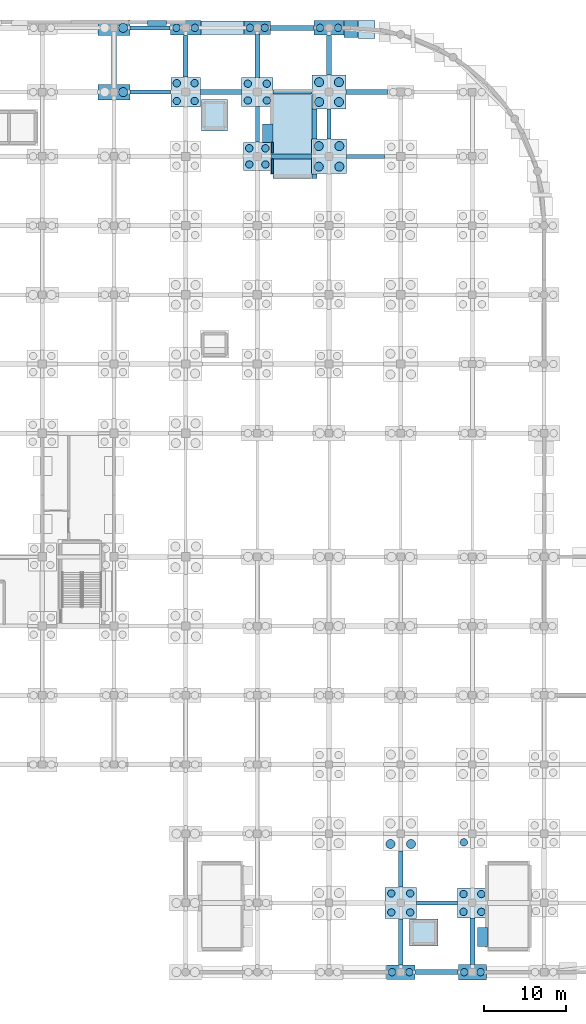
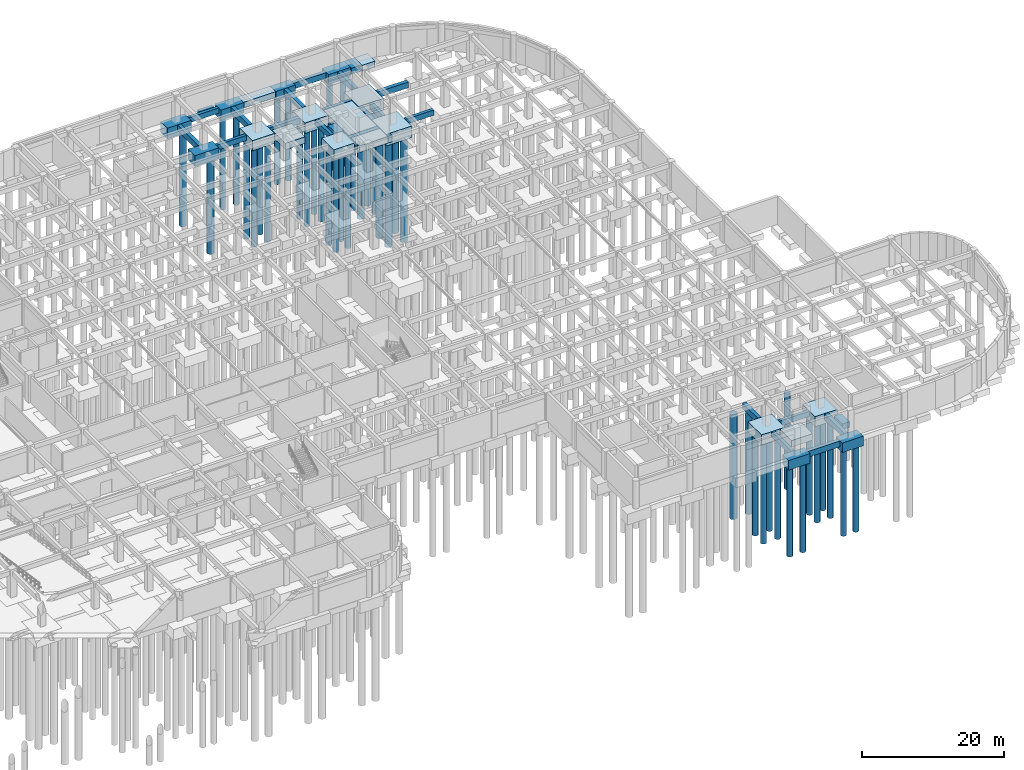
# One storey, part 11 of 33: 47 footings, 43 piles.
"""IFC4 building model written with IfcOpenShell, lengths in metres."""

from ifc_helpers import new_model, si_unit, derived_unit, direction, frame, origin, origin_2d, place, context, subcontext, project, spatial, rectangle, circle, extrude, material, material_profile, profile_set, type_object, element, save


model = new_model("IFC4")

# Units and contexts
model_context = context("Model", 3, precision=1e-05, world=origin(), true_north=direction((0.0, 1.0)))
body_context = subcontext(model_context, "Body", "Model", "MODEL_VIEW")
ifc_project = project(units=[si_unit("LENGTHUNIT", "METRE"), si_unit("AREAUNIT", "SQUARE_METRE"), si_unit("VOLUMEUNIT", "CUBIC_METRE"), si_unit("PLANEANGLEUNIT", "RADIAN"), si_unit("MASSUNIT", "GRAM", prefix="KILO"), derived_unit("THERMALTRANSMITTANCEUNIT", [(si_unit("MASSUNIT", "GRAM", prefix="KILO"), 1), (si_unit("TIMEUNIT", "SECOND"), -3), (si_unit("THERMODYNAMICTEMPERATUREUNIT", "KELVIN"), -1)])], contexts=[model_context])

# Site, building, storey
site_placement = place(None, origin())
site = spatial("IfcSite", under=ifc_project, at=site_placement, CompositionType="ELEMENT")
building_placement = place(site_placement, origin())
building = spatial("IfcBuilding", under=site, at=building_placement, Name="Qinzheling Arcade Emporium", CompositionType="ELEMENT")
storey_placement = place(building_placement, frame((0.0, 0.0, -9.60009765625)))
storey = spatial("IfcBuildingStorey", under=building, at=storey_placement, Name="B2", CompositionType="ELEMENT", Elevation=-9.60009765625)

# Footings
ifc_material = material(Name="Concrete C40", Category="concrete")
footing_type_1 = type_object("IfcFootingType", Name="Arcade Pad Footing 2400x2400x1050 C40", PredefinedType="PAD_FOOTING", material=ifc_material)
footing_1_placement = place(storey_placement, frame((100.9208984375, 115.177978515625, -1.0498046875), z_axis=(0.0, 0.0, 1.0), x_axis=(1.0, 0.0, 0.0)))
element("IfcFooting", 1, at=footing_1_placement, inside=storey, type_object=footing_type_1, Name="Retaining Wall Pad Footing FND-PF-RW-035", PredefinedType="PAD_FOOTING", context=body_context, shape_type="SweptSolid", body=[
    extrude(rectangle(XDim=2.300048828125, YDim=0.64404296875, at=origin_2d()), origin(), (0.0, 0.0, 1.0), 1.050048828125),
])
footing_2_placement = place(storey_placement, frame((126.340087890625, 114.403076171875, -1.0498046875), z_axis=(0.0, 0.0, 1.0), x_axis=(1.0, 0.0, 0.0)))
element("IfcFooting", 2, at=footing_2_placement, inside=storey, type_object=footing_type_1, Name="Retaining Wall Pad Footing FND-PF-RW-037", PredefinedType="PAD_FOOTING", context=body_context, shape_type="SweptSolid", body=[
    extrude(rectangle(XDim=2.096923828125, YDim=2.195068359375, at=origin_2d()), origin(), (0.0, 0.0, 1.0), 1.050048828125),
])
footing_3_placement = place(storey_placement, frame((114.361083984375, 101.827880859375, -1.0498046875), z_axis=(0.0, 0.0, 1.0), x_axis=(1.0, 0.0, 0.0)))
element("IfcFooting", 3, at=footing_3_placement, inside=storey, type_object=footing_type_1, Name="Retaining Wall Pad Footing FND-PF-RW-097", PredefinedType="PAD_FOOTING", context=body_context, shape_type="SweptSolid", body=[
    extrude(rectangle(XDim=1.31103515625, YDim=2.243896484375, at=origin_2d()), origin(), (0.0, 0.0, 1.0), 1.050048828125),
])
footing_4_placement = place(storey_placement, frame((114.910888671875, 100.050048828125, -1.0498046875), z_axis=(0.0, 0.0, 1.0), x_axis=(1.0, 0.0, 0.0)))
element("IfcFooting", 4, at=footing_4_placement, inside=storey, type_object=footing_type_1, Name="Retaining Wall Pad Footing FND-PF-RW-099", PredefinedType="PAD_FOOTING", context=body_context, shape_type="SweptSolid", body=[
    extrude(rectangle(XDim=0.2099609375, YDim=1.300048828125, at=origin_2d()), origin(), (0.0, 0.0, 1.0), 1.050048828125),
])
footing_type_2 = type_object("IfcFootingType", Name="Canopy Pad Footing 2600x2600x1100 C40", PredefinedType="PAD_FOOTING", material=ifc_material)
footing_5_placement = place(storey_placement, frame((117.35009765625, 97.489990234375, -1.099853515625), z_axis=(0.0, 0.0, 1.0), x_axis=(1.0, 0.0, 0.0)))
element("IfcFooting", 5, at=footing_5_placement, inside=storey, type_object=footing_type_2, Name="Stair Core Mat Pad FND-PF-ST-ST08-1", PredefinedType="PAD_FOOTING", context=body_context, shape_type="SweptSolid", body=[
    extrude(rectangle(XDim=4.656005859375, YDim=2.3759765625, at=origin_2d()), origin(), (0.0, 0.0, 1.0), 1.10009765625),
])
footing_6_placement = place(storey_placement, frame((117.35009765625, 102.925048828125, -1.099853515625), z_axis=(0.0, 0.0, 1.0), x_axis=(1.0, 0.0, 0.0)))
element("IfcFooting", 6, at=footing_6_placement, inside=storey, type_object=footing_type_2, Name="Stair Core Mat Pad FND-PF-ST-ST08-2", PredefinedType="PAD_FOOTING", context=body_context, shape_type="SweptSolid", body=[
    extrude(rectangle(XDim=4.656005859375, YDim=7.2060546875, at=origin_2d()), origin(), (0.0, 0.0, 1.0), 1.10009765625),
])
footing_7_placement = place(storey_placement, frame((120.047119140625, 96.590087890625, -1.099853515625), z_axis=(0.0, 0.0, 1.0), x_axis=(1.0, 0.0, 0.0)))
element("IfcFooting", 7, at=footing_7_placement, inside=storey, type_object=footing_type_2, Name="Stair Core Mat Pad FND-PF-ST-ST08-3", PredefinedType="PAD_FOOTING", context=body_context, shape_type="SweptSolid", body=[
    extrude(rectangle(XDim=0.591064453125, YDim=0.575927734375, at=origin_2d()), origin(), (0.0, 0.0, 1.0), 1.10009765625),
])
footing_8_placement = place(storey_placement, frame((120.047119140625, 102.925048828125, -1.099853515625), z_axis=(0.0, 0.0, 1.0), x_axis=(1.0, 0.0, 0.0)))
element("IfcFooting", 8, at=footing_8_placement, inside=storey, type_object=footing_type_2, Name="Stair Core Mat Pad FND-PF-ST-ST08-4", PredefinedType="PAD_FOOTING", context=body_context, shape_type="SweptSolid", body=[
    extrude(rectangle(XDim=0.591064453125, YDim=3.60595703125, at=origin_2d()), origin(), (0.0, 0.0, 1.0), 1.10009765625),
])
footing_9_placement = place(storey_placement, frame((107.89990234375, 104.0, -1.099853515625), z_axis=(0.0, 0.0, 1.0), x_axis=(1.0, 0.0, 0.0)))
element("IfcFooting", 9, at=footing_9_placement, inside=storey, type_object=footing_type_2, Name="Lift Pit Mat Pad FND-PF-LF-LF03", PredefinedType="PAD_FOOTING", context=body_context, shape_type="SweptSolid", body=[
    extrude(rectangle(XDim=3.196044921875, YDim=3.7958984375, at=origin_2d()), origin(), (0.0, 0.0, 1.0), 1.10009765625),
])
footing_10_placement = place(storey_placement, frame((133.300048828125, 4.800048828125, -1.099853515625), z_axis=(0.0, 0.0, 1.0), x_axis=(1.0, 0.0, 0.0)))
element("IfcFooting", 10, at=footing_10_placement, inside=storey, type_object=footing_type_2, Name="Lift Pit Mat Pad FND-PF-LF-LP05", PredefinedType="PAD_FOOTING", context=body_context, shape_type="SweptSolid", body=[
    extrude(rectangle(XDim=3.49609375, YDim=3.2958984375, at=origin_2d()), origin(), (0.0, 0.0, 1.0), 1.10009765625),
])
footing_type_3 = type_object("IfcFootingType", Name="Foundation Tie Beam 500x900 C40", PredefinedType="FOOTING_BEAM", material=ifc_material)
footing_11_placement = place(storey_placement, frame((134.89990234375, 8.39990234375, -0.89990234375), z_axis=(0.0, 0.0, 1.0), x_axis=(1.0, 0.0, 0.0)))
element("IfcFooting", 11, at=footing_11_placement, inside=storey, type_object=footing_type_3, Name="Foundation Tie FND-FB-015", PredefinedType="FOOTING_BEAM", context=body_context, shape_type="SweptSolid", body=[
    extrude(rectangle(XDim=4.9599609375, YDim=0.5, at=origin_2d()), origin(), (0.0, 0.0, 1.0), 0.89990234375),
])
footing_12_placement = place(storey_placement, frame((126.22509765625, 99.0, -0.89990234375), z_axis=(0.0, 0.0, 1.0), x_axis=(1.0, 0.0, 0.0)))
element("IfcFooting", 12, at=footing_12_placement, inside=storey, type_object=footing_type_3, Name="Foundation Tie FND-FB-165", PredefinedType="FOOTING_BEAM", context=body_context, shape_type="SweptSolid", body=[
    extrude(rectangle(XDim=4.610107421875, YDim=0.5, at=origin_2d()), origin(), (0.0, 0.0, 1.0), 0.89990234375),
])
footing_13_placement = place(storey_placement, frame((100.125, 106.800048828125, -0.89990234375), z_axis=(0.0, 0.0, 1.0), x_axis=(1.0, 0.0, 0.0)))
element("IfcFooting", 13, at=footing_13_placement, inside=storey, type_object=footing_type_3, Name="Foundation Tie FND-FB-171", PredefinedType="FOOTING_BEAM", context=body_context, shape_type="SweptSolid", body=[
    extrude(rectangle(XDim=4.909912109375, YDim=0.5, at=origin_2d()), origin(), (0.0, 0.0, 1.0), 0.89990234375),
])
footing_14_placement = place(storey_placement, frame((117.375, 106.800048828125, -0.89990234375), z_axis=(0.0, 0.0, 1.0), x_axis=(1.0, 0.0, 0.0)))
element("IfcFooting", 14, at=footing_14_placement, inside=storey, type_object=footing_type_3, Name="Foundation Tie FND-FB-173", PredefinedType="FOOTING_BEAM", context=body_context, shape_type="SweptSolid", body=[
    extrude(rectangle(XDim=4.7099609375, YDim=0.5, at=origin_2d()), origin(), (0.0, 0.0, 1.0), 0.89990234375),
])
footing_15_placement = place(storey_placement, frame((100.10009765625, 114.60009765625, -0.89990234375), z_axis=(0.0, 0.0, 1.0), x_axis=(1.0, 0.0, 0.0)))
element("IfcFooting", 15, at=footing_15_placement, inside=storey, type_object=footing_type_3, Name="Foundation Tie FND-FB-177", PredefinedType="FOOTING_BEAM", context=body_context, shape_type="SweptSolid", body=[
    extrude(rectangle(XDim=4.860107421875, YDim=0.5, at=origin_2d()), origin(), (0.0, 0.0, 1.0), 0.89990234375),
])
footing_16_placement = place(storey_placement, frame((113.10009765625, 102.875, -0.89990234375), z_axis=(0.0, 0.0, 1.0), x_axis=(1.0, 0.0, 0.0)))
element("IfcFooting", 16, at=footing_16_placement, inside=storey, type_object=footing_type_3, Name="Foundation Tie FND-FB-295", PredefinedType="FOOTING_BEAM", context=body_context, shape_type="SweptSolid", body=[
    extrude(rectangle(XDim=0.5, YDim=4.31005859375, at=origin_2d()), origin(), (0.0, 0.0, 1.0), 0.89990234375),
])
footing_17_placement = place(storey_placement, frame((121.800048828125, 102.925048828125, -0.89990234375), z_axis=(0.0, 0.0, 1.0), x_axis=(1.0, 0.0, 0.0)))
element("IfcFooting", 17, at=footing_17_placement, inside=storey, type_object=footing_type_3, Name="Foundation Tie FND-FB-307", PredefinedType="FOOTING_BEAM", context=body_context, shape_type="SweptSolid", body=[
    extrude(rectangle(XDim=0.5, YDim=3.610107421875, at=origin_2d()), origin(), (0.0, 0.0, 1.0), 0.89990234375),
])
footing_18_placement = place(storey_placement, frame((130.5, 3.68798828125, -0.89990234375), z_axis=(0.0, 0.0, 1.0), x_axis=(1.0, 0.0, 0.0)))
element("IfcFooting", 18, at=footing_18_placement, inside=storey, type_object=footing_type_3, Name="Foundation Tie FND-FB-309", PredefinedType="FOOTING_BEAM", context=body_context, shape_type="SweptSolid", body=[
    extrude(rectangle(XDim=0.5, YDim=5.5849609375, at=origin_2d()), origin(), (0.0, 0.0, 1.0), 0.89990234375),
])
footing_type_4 = type_object("IfcFootingType", Name="Foundation Tie Beam 600x1000 C40", PredefinedType="FOOTING_BEAM", material=ifc_material)
footing_19_placement = place(storey_placement, frame((134.875, 0.0, -1.0), z_axis=(0.0, 0.0, 1.0), x_axis=(1.0, 0.0, 0.0)))
element("IfcFooting", 19, at=footing_19_placement, inside=storey, type_object=footing_type_4, Name="Foundation Tie FND-FB-004", PredefinedType="FOOTING_BEAM", context=body_context, shape_type="SweptSolid", body=[
    extrude(rectangle(XDim=5.2099609375, YDim=0.60009765625, at=origin_2d()), origin(), (0.0, 0.0, 1.0), 1.0),
])
footing_20_placement = place(storey_placement, frame((117.25, 99.0, -1.0), z_axis=(0.0, 0.0, 1.0), x_axis=(1.0, 0.0, 0.0)))
element("IfcFooting", 20, at=footing_20_placement, inside=storey, type_object=footing_type_4, Name="Foundation Tie FND-FB-164", PredefinedType="FOOTING_BEAM", context=body_context, shape_type="SweptSolid", body=[
    extrude(rectangle(XDim=4.860107421875, YDim=0.60009765625, at=origin_2d()), origin(), (0.0, 0.0, 1.0), 1.0),
])
footing_21_placement = place(storey_placement, frame((108.699951171875, 106.800048828125, -1.0), z_axis=(0.0, 0.0, 1.0), x_axis=(1.0, 0.0, 0.0)))
element("IfcFooting", 21, at=footing_21_placement, inside=storey, type_object=footing_type_4, Name="Foundation Tie FND-FB-172", PredefinedType="FOOTING_BEAM", context=body_context, shape_type="SweptSolid", body=[
    extrude(rectangle(XDim=4.9599609375, YDim=0.60009765625, at=origin_2d()), origin(), (0.0, 0.0, 1.0), 1.0),
])
footing_22_placement = place(storey_placement, frame((126.375, 106.800048828125, -1.0), z_axis=(0.0, 0.0, 1.0), x_axis=(1.0, 0.0, 0.0)))
element("IfcFooting", 22, at=footing_22_placement, inside=storey, type_object=footing_type_4, Name="Foundation Tie FND-FB-174", PredefinedType="FOOTING_BEAM", context=body_context, shape_type="SweptSolid", body=[
    extrude(rectangle(XDim=5.010009765625, YDim=0.60009765625, at=origin_2d()), origin(), (0.0, 0.0, 1.0), 1.0),
])
footing_23_placement = place(storey_placement, frame((117.35009765625, 114.60009765625, -1.0), z_axis=(0.0, 0.0, 1.0), x_axis=(1.0, 0.0, 0.0)))
element("IfcFooting", 23, at=footing_23_placement, inside=storey, type_object=footing_type_4, Name="Foundation Tie FND-FB-178", PredefinedType="FOOTING_BEAM", context=body_context, shape_type="SweptSolid", body=[
    extrude(rectangle(XDim=5.260009765625, YDim=0.60009765625, at=origin_2d()), origin(), (0.0, 0.0, 1.0), 1.0),
])
footing_24_placement = place(storey_placement, frame((95.699951171875, 110.699951171875, -1.0), z_axis=(0.0, 0.0, 1.0), x_axis=(1.0, 0.0, 0.0)))
element("IfcFooting", 24, at=footing_24_placement, inside=storey, type_object=footing_type_4, Name="Foundation Tie FND-FB-272", PredefinedType="FOOTING_BEAM", context=body_context, shape_type="SweptSolid", body=[
    extrude(rectangle(XDim=0.60009765625, YDim=5.860107421875, at=origin_2d()), origin(), (0.0, 0.0, 1.0), 1.0),
])
footing_25_placement = place(storey_placement, frame((104.39990234375, 111.14990234375, -1.0), z_axis=(0.0, 0.0, 1.0), x_axis=(1.0, 0.0, 0.0)))
element("IfcFooting", 25, at=footing_25_placement, inside=storey, type_object=footing_type_4, Name="Foundation Tie FND-FB-284", PredefinedType="FOOTING_BEAM", context=body_context, shape_type="SweptSolid", body=[
    extrude(rectangle(XDim=0.60009765625, YDim=5.06005859375, at=origin_2d()), origin(), (0.0, 0.0, 1.0), 1.0),
])
footing_26_placement = place(storey_placement, frame((113.10009765625, 111.175048828125, -1.0), z_axis=(0.0, 0.0, 1.0), x_axis=(1.0, 0.0, 0.0)))
element("IfcFooting", 26, at=footing_26_placement, inside=storey, type_object=footing_type_4, Name="Foundation Tie FND-FB-296", PredefinedType="FOOTING_BEAM", context=body_context, shape_type="SweptSolid", body=[
    extrude(rectangle(XDim=0.60009765625, YDim=5.2099609375, at=origin_2d()), origin(), (0.0, 0.0, 1.0), 1.0),
])
footing_27_placement = place(storey_placement, frame((121.800048828125, 111.27490234375, -1.0), z_axis=(0.0, 0.0, 1.0), x_axis=(1.0, 0.0, 0.0)))
element("IfcFooting", 27, at=footing_27_placement, inside=storey, type_object=footing_type_4, Name="Foundation Tie FND-FB-308", PredefinedType="FOOTING_BEAM", context=body_context, shape_type="SweptSolid", body=[
    extrude(rectangle(XDim=0.60009765625, YDim=4.81005859375, at=origin_2d()), origin(), (0.0, 0.0, 1.0), 1.0),
])
footing_28_placement = place(storey_placement, frame((130.5, 12.5, -1.0), z_axis=(0.0, 0.0, 1.0), x_axis=(1.0, 0.0, 0.0)))
element("IfcFooting", 28, at=footing_28_placement, inside=storey, type_object=footing_type_4, Name="Foundation Tie FND-FB-310", PredefinedType="FOOTING_BEAM", context=body_context, shape_type="SweptSolid", body=[
    extrude(rectangle(XDim=0.60009765625, YDim=4.360107421875, at=origin_2d()), origin(), (0.0, 0.0, 1.0), 1.0),
])
footing_29_placement = place(storey_placement, frame((139.199951171875, 3.762939453125, -1.0), z_axis=(0.0, 0.0, 1.0), x_axis=(1.0, 0.0, 0.0)))
element("IfcFooting", 29, at=footing_29_placement, inside=storey, type_object=footing_type_4, Name="Foundation Tie FND-FB-320", PredefinedType="FOOTING_BEAM", context=body_context, shape_type="SweptSolid", body=[
    extrude(rectangle(XDim=0.60009765625, YDim=5.635009765625, at=origin_2d()), origin(), (0.0, 0.0, 1.0), 1.0),
])
footing_type_5 = type_object("IfcFootingType", Name="Four-Pile Core Cap 4100x4100x1950 C40", PredefinedType="PILE_CAP", material=ifc_material)
footing_30_placement = place(storey_placement, frame((121.800048828125, 106.800048828125, -1.94970703125), z_axis=(0.0, 0.0, 1.0), x_axis=(1.0, 0.0, 0.0)))
element("IfcFooting", 30, at=footing_30_placement, inside=storey, type_object=footing_type_5, Name="Pile Cap FND-PC-156", PredefinedType="PILE_CAP", context=body_context, shape_type="SweptSolid", body=[
    extrude(rectangle(XDim=4.10009765625, YDim=4.10009765625, at=origin_2d()), origin(), (0.0, 0.0, 1.0), 1.949951171875),
])
footing_type_6 = type_object("IfcFootingType", Name="Four-Pile Flagship Cap 3800x3800x1800 C40", PredefinedType="PILE_CAP", material=ifc_material)
footing_31_placement = place(storey_placement, frame((130.5, 8.39990234375, -1.7998046875), z_axis=(0.0, 0.0, 1.0), x_axis=(1.0, 0.0, 0.0)))
element("IfcFooting", 31, at=footing_31_placement, inside=storey, type_object=footing_type_6, Name="Pile Cap FND-PC-159", PredefinedType="PILE_CAP", context=body_context, shape_type="SweptSolid", body=[
    extrude(rectangle(XDim=3.800048828125, YDim=3.800048828125, at=origin_2d()), origin(), (0.0, 0.0, 1.0), 1.800048828125),
])
footing_type_7 = type_object("IfcFootingType", Name="Four-Pile Frame Cap 3600x3600x1750 C40", PredefinedType="PILE_CAP", material=ifc_material)
for number, where, z_axis, x_axis, name in (
    (32, (104.39990234375, 106.800048828125, -1.75), (0.0, 0.0, 1.0), (1.0, 0.0, 0.0), "Pile Cap FND-PC-128"),
    (33, (139.199951171875, 8.39990234375, -1.75), (0.0, 0.0, 1.0), (1.0, 0.0, 0.0), "Pile Cap FND-PC-172"),
):
    element("IfcFooting", number, at=place(storey_placement, frame(where, z_axis=z_axis, x_axis=x_axis)), inside=storey, type_object=footing_type_7, Name=name, PredefinedType="PILE_CAP", context=body_context, shape_type="SweptSolid", body=[
        extrude(rectangle(XDim=3.60009765625, YDim=3.60009765625, at=origin_2d()), origin(), (0.0, 0.0, 1.0), 1.75),
    ])
footing_type_8 = type_object("IfcFootingType", Name="Four-Pile Heavy Cap 4200x4200x2000 C40", PredefinedType="PILE_CAP", material=ifc_material)
footing_32_placement = place(storey_placement, frame((121.800048828125, 99.0, -2.0), z_axis=(0.0, 0.0, 1.0), x_axis=(1.0, 0.0, 0.0)))
element("IfcFooting", 34, at=footing_32_placement, inside=storey, type_object=footing_type_8, Name="Pile Cap FND-PC-155", PredefinedType="PILE_CAP", context=body_context, shape_type="SweptSolid", body=[
    extrude(rectangle(XDim=4.199951171875, YDim=4.199951171875, at=origin_2d()), origin(), (0.0, 0.0, 1.0), 2.0),
])
footing_type_9 = type_object("IfcFootingType", Name="Four-Pile Office Cap 3800x3500x1800 C40", PredefinedType="PILE_CAP", material=ifc_material)
footing_33_placement = place(storey_placement, frame((113.10009765625, 106.800048828125, -1.7998046875), z_axis=(0.0, 0.0, 1.0), x_axis=(1.0, 0.0, 0.0)))
element("IfcFooting", 35, at=footing_33_placement, inside=storey, type_object=footing_type_9, Name="Pile Cap FND-PC-142", PredefinedType="PILE_CAP", context=body_context, shape_type="SweptSolid", body=[
    extrude(rectangle(XDim=3.800048828125, YDim=3.5, at=origin_2d()), origin(), (0.0, 0.0, 1.0), 1.800048828125),
])
footing_type_10 = type_object("IfcFootingType", Name="Four-Pile Wing Cap 3400x3400x1650 C40", PredefinedType="PILE_CAP", material=ifc_material)
footing_34_placement = place(storey_placement, frame((113.10009765625, 99.0, -1.64990234375), z_axis=(0.0, 0.0, 1.0), x_axis=(1.0, 0.0, 0.0)))
element("IfcFooting", 36, at=footing_34_placement, inside=storey, type_object=footing_type_10, Name="Pile Cap FND-PC-141", PredefinedType="PILE_CAP", context=body_context, shape_type="SweptSolid", body=[
    extrude(rectangle(XDim=3.39990234375, YDim=3.39990234375, at=origin_2d()), origin(), (0.0, 0.0, 1.0), 1.64990234375),
])
footing_type_11 = type_object("IfcFootingType", Name="Loggia Pad Footing 2200x2200x1000 C40", PredefinedType="PAD_FOOTING", material=ifc_material)
footing_35_placement = place(storey_placement, frame((124.445068359375, 114.47509765625, -1.0), z_axis=(0.0, 0.0, 1.0), x_axis=(1.0, 0.0, 0.0)))
element("IfcFooting", 37, at=footing_35_placement, inside=storey, type_object=footing_type_11, Name="Retaining Wall Pad Footing FND-PF-RW-036", PredefinedType="PAD_FOOTING", context=body_context, shape_type="SweptSolid", body=[
    extrude(rectangle(XDim=1.678955078125, YDim=2.050048828125, at=origin_2d()), origin(), (0.0, 0.0, 1.0), 1.0),
])
footing_36_placement = place(storey_placement, frame((140.410888671875, 4.25, -1.0), z_axis=(0.0, 0.0, 1.0), x_axis=(1.0, 0.0, 0.0)))
element("IfcFooting", 38, at=footing_36_placement, inside=storey, type_object=footing_type_11, Name="Retaining Wall Pad Footing FND-PF-RW-096", PredefinedType="PAD_FOOTING", context=body_context, shape_type="SweptSolid", body=[
    extrude(rectangle(XDim=1.2109375, YDim=2.300048828125, at=origin_2d()), origin(), (0.0, 0.0, 1.0), 1.0),
])
footing_37_placement = place(storey_placement, frame((114.910888671875, 97.797119140625, -1.0), z_axis=(0.0, 0.0, 1.0), x_axis=(1.0, 0.0, 0.0)))
element("IfcFooting", 39, at=footing_37_placement, inside=storey, type_object=footing_type_11, Name="Retaining Wall Pad Footing FND-PF-RW-098", PredefinedType="PAD_FOOTING", context=body_context, shape_type="SweptSolid", body=[
    extrude(rectangle(XDim=0.2099609375, YDim=1.7939453125, at=origin_2d()), origin(), (0.0, 0.0, 1.0), 1.0),
])
footing_type_12 = type_object("IfcFootingType", Name="Retaining Wall Strip Footing 1600x1000 C40", PredefinedType="STRIP_FOOTING", material=ifc_material)
footing_38_placement = place(storey_placement, frame((108.875, 114.60009765625, -1.0), z_axis=(0.0, 0.0, 1.0), x_axis=(1.0, 0.0, 0.0)))
element("IfcFooting", 40, at=footing_38_placement, inside=storey, type_object=footing_type_12, Name="Foundation Tie FND-SF-008", PredefinedType="STRIP_FOOTING", context=body_context, shape_type="SweptSolid", body=[
    extrude(rectangle(XDim=5.2099609375, YDim=1.60009765625, at=origin_2d()), origin(), (0.0, 0.0, 1.0), 1.0),
])

# Piles
ifc_material_profile_1 = material_profile(ifc_material, circle(Radius=0.550048828125, at=origin_2d()), Name="BORED D1100", Category="concrete")
ifc_profile_set_1 = profile_set([ifc_material_profile_1], Name="Concrete C40")
pile_type_1 = type_object("IfcPileType", Name="Rotary Bored Pile D1100 C40", PredefinedType="BORED", material=ifc_profile_set_1)
for number, where, z_axis, x_axis, name in (
    (41, (96.820068359375, 106.800048828125, -1.75), (0.0, 0.0, -1.0), (1.0, 0.0, 0.0), "Bored Pile FND-PL-0358"),
    (42, (96.820068359375, 114.60009765625, -1.75), (0.0, 0.0, -1.0), (1.0, 0.0, 0.0), "Bored Pile FND-PL-0360"),
):
    element("IfcPile", number, at=place(storey_placement, frame(where, z_axis=z_axis, x_axis=x_axis)), inside=storey, type_object=pile_type_1, Name=name, PredefinedType="BORED", context=body_context, shape_type="SweptSolid", body=[
        extrude(circle(Radius=0.550048828125, at=origin_2d()), origin(), (0.0, 0.0, 1.0), 16.5),
    ])
for number, where, z_axis, x_axis, name in (
    (43, (120.550048828125, 97.75, -1.89990234375), (0.0, 0.0, -1.0), (1.0, 0.0, 0.0), "Bored Pile FND-PL-0477"),
    (44, (123.050048828125, 97.75, -1.89990234375), (0.0, 0.0, -1.0), (1.0, 0.0, 0.0), "Bored Pile FND-PL-0478"),
    (45, (120.550048828125, 100.25, -1.89990234375), (0.0, 0.0, -1.0), (1.0, 0.0, 0.0), "Bored Pile FND-PL-0479"),
    (46, (123.050048828125, 100.25, -1.89990234375), (0.0, 0.0, -1.0), (1.0, 0.0, 0.0), "Bored Pile FND-PL-0480"),
    (47, (120.60009765625, 105.60009765625, -1.849853515625), (0.0, 0.0, -1.0), (1.0, 0.0, 0.0), "Bored Pile FND-PL-0481"),
    (48, (123.0, 105.60009765625, -1.849853515625), (0.0, 0.0, -1.0), (1.0, 0.0, 0.0), "Bored Pile FND-PL-0482"),
    (49, (120.60009765625, 108.0, -1.849853515625), (0.0, 0.0, -1.0), (1.0, 0.0, 0.0), "Bored Pile FND-PL-0483"),
    (50, (123.0, 108.0, -1.849853515625), (0.0, 0.0, -1.0), (1.0, 0.0, 0.0), "Bored Pile FND-PL-0484"),
    (51, (129.25, 15.550048828125, -1.89990234375), (0.0, 0.0, -1.0), (1.0, 0.0, 0.0), "Bored Pile FND-PL-0493"),
    (52, (131.75, 15.550048828125, -1.89990234375), (0.0, 0.0, -1.0), (1.0, 0.0, 0.0), "Bored Pile FND-PL-0494"),
):
    element("IfcPile", number, at=place(storey_placement, frame(where, z_axis=z_axis, x_axis=x_axis)), inside=storey, type_object=pile_type_1, Name=name, PredefinedType="BORED", context=body_context, shape_type="SweptSolid", body=[
        extrude(circle(Radius=0.550048828125, at=origin_2d()), origin(), (0.0, 0.0, 1.0), 18.0),
    ])
ifc_material_profile_2 = material_profile(ifc_material, circle(Radius=0.449951171875, at=origin_2d()), Name="BORED D900", Category="concrete")
ifc_profile_set_2 = profile_set([ifc_material_profile_2], Name="Concrete C40")
pile_type_2 = type_object("IfcPileType", Name="Rotary Bored Pile D900 C40", PredefinedType="BORED", material=ifc_profile_set_2)
for number, where, z_axis, x_axis, name in (
    (53, (103.320068359375, 105.719970703125, -1.64990234375), (0.0, 0.0, -1.0), (1.0, 0.0, 0.0), "Bored Pile FND-PL-0399"),
    (54, (105.47998046875, 105.719970703125, -1.64990234375), (0.0, 0.0, -1.0), (1.0, 0.0, 0.0), "Bored Pile FND-PL-0400"),
    (55, (103.320068359375, 107.8798828125, -1.64990234375), (0.0, 0.0, -1.0), (1.0, 0.0, 0.0), "Bored Pile FND-PL-0401"),
    (56, (105.47998046875, 107.8798828125, -1.64990234375), (0.0, 0.0, -1.0), (1.0, 0.0, 0.0), "Bored Pile FND-PL-0402"),
):
    element("IfcPile", number, at=place(storey_placement, frame(where, z_axis=z_axis, x_axis=x_axis)), inside=storey, type_object=pile_type_2, Name=name, PredefinedType="BORED", context=body_context, shape_type="SweptSolid", body=[
        extrude(circle(Radius=0.449951171875, at=origin_2d()), origin(), (0.0, 0.0, 1.0), 17.0),
    ])
for number, where, z_axis, x_axis, name in (
    (57, (103.280029296875, 114.60009765625, -1.64990234375), (0.0, 0.0, -1.0), (1.0, 0.0, 0.0), "Bored Pile FND-PL-0403"),
    (58, (105.52001953125, 114.60009765625, -1.64990234375), (0.0, 0.0, -1.0), (1.0, 0.0, 0.0), "Bored Pile FND-PL-0404"),
):
    element("IfcPile", number, at=place(storey_placement, frame(where, z_axis=z_axis, x_axis=x_axis)), inside=storey, type_object=pile_type_2, Name=name, PredefinedType="BORED", context=body_context, shape_type="SweptSolid", body=[
        extrude(circle(Radius=0.449951171875, at=origin_2d()), origin(), (0.0, 0.0, 1.0), 16.0),
    ])
for number, where, z_axis, x_axis, name in (
    (59, (112.1201171875, 98.02001953125, -1.5498046875), (0.0, 0.0, -1.0), (1.0, 0.0, 0.0), "Bored Pile FND-PL-0433"),
    (60, (114.080078125, 98.02001953125, -1.5498046875), (0.0, 0.0, -1.0), (1.0, 0.0, 0.0), "Bored Pile FND-PL-0434"),
    (61, (112.1201171875, 99.97998046875, -1.5498046875), (0.0, 0.0, -1.0), (1.0, 0.0, 0.0), "Bored Pile FND-PL-0435"),
    (62, (114.080078125, 99.97998046875, -1.5498046875), (0.0, 0.0, -1.0), (1.0, 0.0, 0.0), "Bored Pile FND-PL-0436"),
    (63, (111.949951171875, 105.780029296875, -1.699951171875), (0.0, 0.0, -1.0), (1.0, 0.0, 0.0), "Bored Pile FND-PL-0437"),
    (64, (114.25, 105.780029296875, -1.699951171875), (0.0, 0.0, -1.0), (1.0, 0.0, 0.0), "Bored Pile FND-PL-0438"),
    (65, (111.949951171875, 107.820068359375, -1.699951171875), (0.0, 0.0, -1.0), (1.0, 0.0, 0.0), "Bored Pile FND-PL-0439"),
    (66, (114.25, 107.820068359375, -1.699951171875), (0.0, 0.0, -1.0), (1.0, 0.0, 0.0), "Bored Pile FND-PL-0440"),
):
    element("IfcPile", number, at=place(storey_placement, frame(where, z_axis=z_axis, x_axis=x_axis)), inside=storey, type_object=pile_type_2, Name=name, PredefinedType="BORED", context=body_context, shape_type="SweptSolid", body=[
        extrude(circle(Radius=0.449951171875, at=origin_2d()), origin(), (0.0, 0.0, 1.0), 16.5),
    ])
for number, where, z_axis, x_axis, name in (
    (67, (112.199951171875, 114.60009765625, -1.449951171875), (0.0, 0.0, -1.0), (1.0, 0.0, 0.0), "Bored Pile FND-PL-0441"),
    (68, (114.0, 114.60009765625, -1.449951171875), (0.0, 0.0, -1.0), (1.0, 0.0, 0.0), "Bored Pile FND-PL-0442"),
):
    element("IfcPile", number, at=place(storey_placement, frame(where, z_axis=z_axis, x_axis=x_axis)), inside=storey, type_object=pile_type_2, Name=name, PredefinedType="BORED", context=body_context, shape_type="SweptSolid", body=[
        extrude(circle(Radius=0.449951171875, at=origin_2d()), origin(), (0.0, 0.0, 1.0), 15.0),
    ])
for number, where, z_axis, x_axis, name in (
    (69, (120.699951171875, 114.60009765625, -1.599853515625), (0.0, 0.0, -1.0), (1.0, 0.0, 0.0), "Bored Pile FND-PL-0485"),
    (70, (122.89990234375, 114.60009765625, -1.599853515625), (0.0, 0.0, -1.0), (1.0, 0.0, 0.0), "Bored Pile FND-PL-0486"),
    (71, (129.449951171875, 0.0, -1.5498046875), (0.0, 0.0, -1.0), (1.0, 0.0, 0.0), "Bored Pile FND-PL-0487"),
    (72, (131.550048828125, 0.0, -1.5498046875), (0.0, 0.0, -1.0), (1.0, 0.0, 0.0), "Bored Pile FND-PL-0488"),
):
    element("IfcPile", number, at=place(storey_placement, frame(where, z_axis=z_axis, x_axis=x_axis)), inside=storey, type_object=pile_type_2, Name=name, PredefinedType="BORED", context=body_context, shape_type="SweptSolid", body=[
        extrude(circle(Radius=0.449951171875, at=origin_2d()), origin(), (0.0, 0.0, 1.0), 15.5),
    ])
for number, where, z_axis, x_axis, name in (
    (73, (129.35009765625, 7.25, -1.699951171875), (0.0, 0.0, -1.0), (1.0, 0.0, 0.0), "Bored Pile FND-PL-0489"),
    (74, (131.64990234375, 7.25, -1.699951171875), (0.0, 0.0, -1.0), (1.0, 0.0, 0.0), "Bored Pile FND-PL-0490"),
    (75, (129.35009765625, 9.550048828125, -1.699951171875), (0.0, 0.0, -1.0), (1.0, 0.0, 0.0), "Bored Pile FND-PL-0491"),
    (76, (131.64990234375, 9.550048828125, -1.699951171875), (0.0, 0.0, -1.0), (1.0, 0.0, 0.0), "Bored Pile FND-PL-0492"),
):
    element("IfcPile", number, at=place(storey_placement, frame(where, z_axis=z_axis, x_axis=x_axis)), inside=storey, type_object=pile_type_2, Name=name, PredefinedType="BORED", context=body_context, shape_type="SweptSolid", body=[
        extrude(circle(Radius=0.449951171875, at=origin_2d()), origin(), (0.0, 0.0, 1.0), 17.5),
    ])
for number, where, z_axis, x_axis, name in (
    (77, (138.199951171875, 0.0, -1.5498046875), (0.0, 0.0, -1.0), (1.0, 0.0, 0.0), "Bored Pile FND-PL-0527"),
    (78, (140.199951171875, 0.0, -1.5498046875), (0.0, 0.0, -1.0), (1.0, 0.0, 0.0), "Bored Pile FND-PL-0528"),
):
    element("IfcPile", number, at=place(storey_placement, frame(where, z_axis=z_axis, x_axis=x_axis)), inside=storey, type_object=pile_type_2, Name=name, PredefinedType="BORED", context=body_context, shape_type="SweptSolid", body=[
        extrude(circle(Radius=0.449951171875, at=origin_2d()), origin(), (0.0, 0.0, 1.0), 15.0),
    ])
for number, where, z_axis, x_axis, name in (
    (79, (138.1201171875, 7.320068359375, -1.64990234375), (0.0, 0.0, -1.0), (1.0, 0.0, 0.0), "Bored Pile FND-PL-0529"),
    (80, (140.280029296875, 7.320068359375, -1.64990234375), (0.0, 0.0, -1.0), (1.0, 0.0, 0.0), "Bored Pile FND-PL-0530"),
    (81, (138.1201171875, 9.47998046875, -1.64990234375), (0.0, 0.0, -1.0), (1.0, 0.0, 0.0), "Bored Pile FND-PL-0531"),
    (82, (140.280029296875, 9.47998046875, -1.64990234375), (0.0, 0.0, -1.0), (1.0, 0.0, 0.0), "Bored Pile FND-PL-0532"),
):
    element("IfcPile", number, at=place(storey_placement, frame(where, z_axis=z_axis, x_axis=x_axis)), inside=storey, type_object=pile_type_2, Name=name, PredefinedType="BORED", context=body_context, shape_type="SweptSolid", body=[
        extrude(circle(Radius=0.449951171875, at=origin_2d()), origin(), (0.0, 0.0, 1.0), 17.0),
    ])
pile_placement = place(storey_placement, frame((138.159912109375, 15.760009765625, -1.599853515625), z_axis=(0.0, 0.0, -1.0), x_axis=(1.0, 0.0, 0.0)))
element("IfcPile", 83, at=pile_placement, inside=storey, type_object=pile_type_2, Name="Bored Pile FND-PL-0533", PredefinedType="BORED", context=body_context, shape_type="SweptSolid", body=[
    extrude(circle(Radius=0.449951171875, at=origin_2d()), origin(), (0.0, 0.0, 1.0), 16.5),
])

# Footings
footing_type_13 = type_object("IfcFootingType", Name="Two-Pile Heavy Cap 3900x1900x1850 C40", PredefinedType="PILE_CAP", material=ifc_material)
for number, where, z_axis, x_axis, name in (
    (84, (95.699951171875, 106.800048828125, -1.849853515625), (0.0, 0.0, 1.0), (1.0, 0.0, 0.0), "Pile Cap FND-PC-114"),
    (85, (95.699951171875, 114.60009765625, -1.849853515625), (0.0, 0.0, 1.0), (1.0, 0.0, 0.0), "Pile Cap FND-PC-115"),
):
    element("IfcFooting", number, at=place(storey_placement, frame(where, z_axis=z_axis, x_axis=x_axis)), inside=storey, type_object=footing_type_13, Name=name, PredefinedType="PILE_CAP", context=body_context, shape_type="SweptSolid", body=[
        extrude(rectangle(XDim=3.89990234375, YDim=1.89990234375, at=origin_2d()), origin(), (0.0, 0.0, 1.0), 1.85009765625),
    ])
footing_type_14 = type_object("IfcFootingType", Name="Two-Pile Pavilion Cap 3400x1850x1650 C40", PredefinedType="PILE_CAP", material=ifc_material)
footing_39_placement = place(storey_placement, frame((139.199951171875, 0.0, -1.64990234375), z_axis=(0.0, 0.0, 1.0), x_axis=(1.0, 0.0, 0.0)))
element("IfcFooting", 86, at=footing_39_placement, inside=storey, type_object=footing_type_14, Name="Pile Cap FND-PC-171", PredefinedType="PILE_CAP", context=body_context, shape_type="SweptSolid", body=[
    extrude(rectangle(XDim=3.39990234375, YDim=1.85009765625, at=origin_2d()), origin(), (0.0, 0.0, 1.0), 1.64990234375),
])
footing_type_15 = type_object("IfcFootingType", Name="Two-Pile Pier Cap 3200x1600x1550 C40", PredefinedType="PILE_CAP", material=ifc_material)
footing_40_placement = place(storey_placement, frame((113.10009765625, 114.60009765625, -1.5498046875), z_axis=(0.0, 0.0, 1.0), x_axis=(1.0, 0.0, 0.0)))
element("IfcFooting", 87, at=footing_40_placement, inside=storey, type_object=footing_type_15, Name="Pile Cap FND-PC-143", PredefinedType="PILE_CAP", context=body_context, shape_type="SweptSolid", body=[
    extrude(rectangle(XDim=3.199951171875, YDim=1.60009765625, at=origin_2d()), origin(), (0.0, 0.0, 1.0), 1.550048828125),
])
footing_type_16 = type_object("IfcFootingType", Name="Two-Pile Rectangular Cap 3600x1800x1700 C40", PredefinedType="PILE_CAP", material=ifc_material)
footing_41_placement = place(storey_placement, frame((121.800048828125, 114.60009765625, -1.69970703125), z_axis=(0.0, 0.0, 1.0), x_axis=(1.0, 0.0, 0.0)))
element("IfcFooting", 88, at=footing_41_placement, inside=storey, type_object=footing_type_16, Name="Pile Cap FND-PC-157", PredefinedType="PILE_CAP", context=body_context, shape_type="SweptSolid", body=[
    extrude(rectangle(XDim=3.60009765625, YDim=1.800048828125, at=origin_2d()), origin(), (0.0, 0.0, 1.0), 1.699951171875),
])
footing_type_17 = type_object("IfcFootingType", Name="Two-Pile Spandrel Cap 3500x1750x1650 C40", PredefinedType="PILE_CAP", material=ifc_material)
footing_42_placement = place(storey_placement, frame((130.5, 0.0, -1.64990234375), z_axis=(0.0, 0.0, 1.0), x_axis=(1.0, 0.0, 0.0)))
element("IfcFooting", 89, at=footing_42_placement, inside=storey, type_object=footing_type_17, Name="Pile Cap FND-PC-158", PredefinedType="PILE_CAP", context=body_context, shape_type="SweptSolid", body=[
    extrude(rectangle(XDim=3.5, YDim=1.75, at=origin_2d()), origin(), (0.0, 0.0, 1.0), 1.64990234375),
])
footing_type_18 = type_object("IfcFootingType", Name="Two-Pile Stockroom Cap 3700x1800x1750 C40", PredefinedType="PILE_CAP", material=ifc_material)
footing_43_placement = place(storey_placement, frame((104.39990234375, 114.60009765625, -1.75), z_axis=(0.0, 0.0, 1.0), x_axis=(1.0, 0.0, 0.0)))
element("IfcFooting", 90, at=footing_43_placement, inside=storey, type_object=footing_type_18, Name="Pile Cap FND-PC-129", PredefinedType="PILE_CAP", context=body_context, shape_type="SweptSolid", body=[
    extrude(rectangle(XDim=3.699951171875, YDim=1.800048828125, at=origin_2d()), origin(), (0.0, 0.0, 1.0), 1.75),
])

save(model, "model.ifc")
